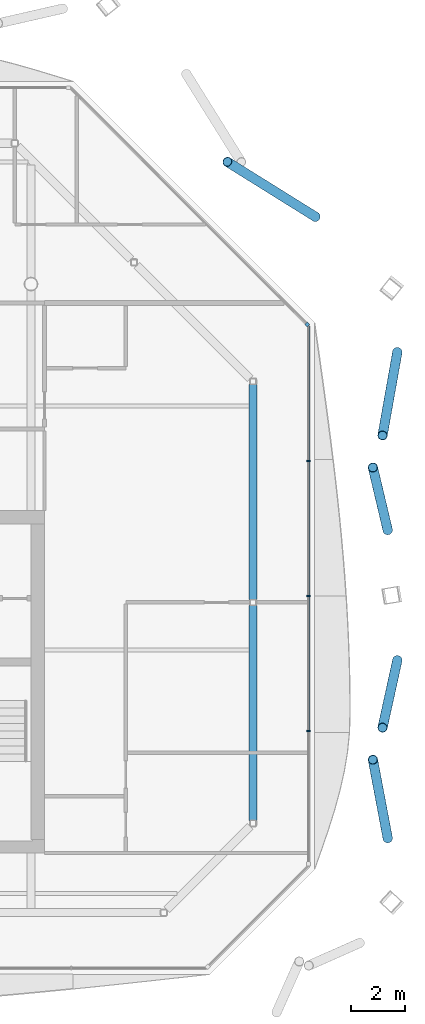
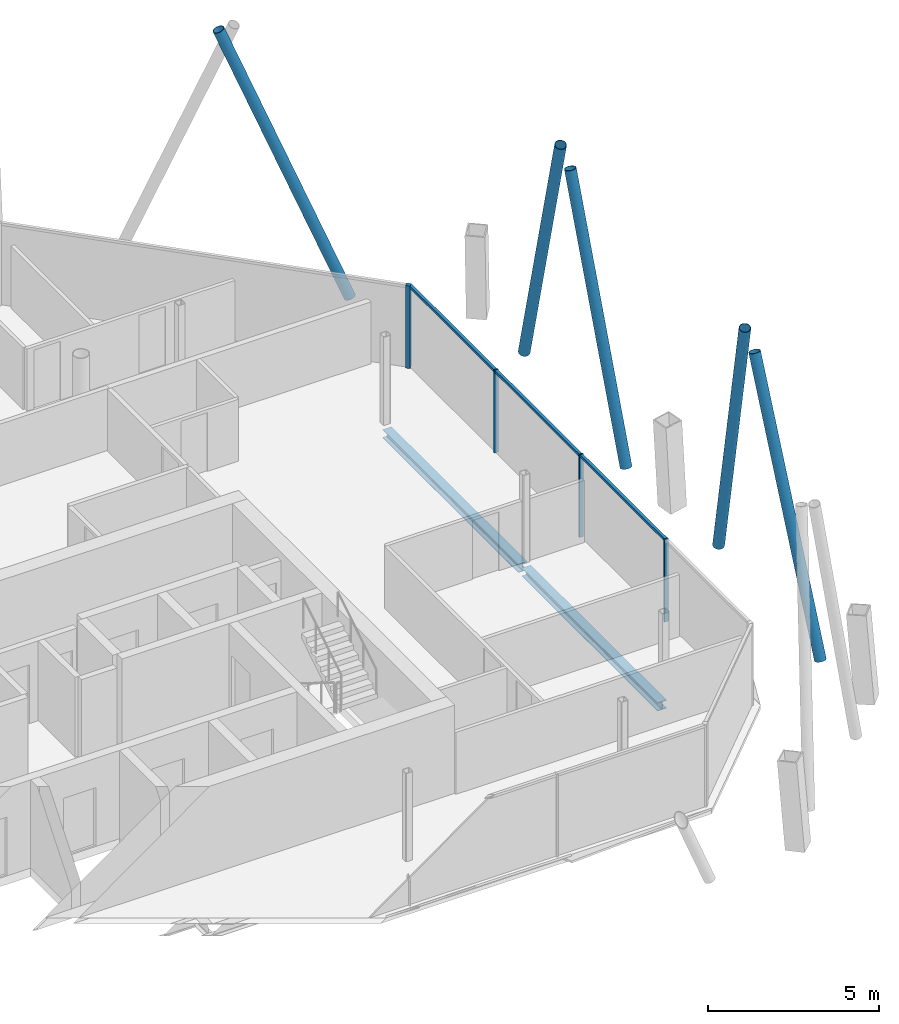
# One storey, part 7 of 14: 12 members, 2 beams, 2 elements without a shape of their own.
"""IFC4 building model written with IfcOpenShell, lengths in metres."""

from ifc_helpers import new_model, si_unit, direction, frame, origin, origin_2d, place, context, subcontext, project, spatial, rectangle, hollow_circle, i_section, extrude, material, material_profile, profile_set, type_object, element, aggregate, save


model = new_model("IFC4")

# Units and contexts
model_context = context("Model", 3, precision=1e-05, world=origin(), true_north=direction((0.0, 1.0)))
body_context = subcontext(model_context, "Body", "Model", "MODEL_VIEW")
ifc_project = project(units=[si_unit("LENGTHUNIT", "METRE"), si_unit("AREAUNIT", "SQUARE_METRE"), si_unit("VOLUMEUNIT", "CUBIC_METRE"), si_unit("PLANEANGLEUNIT", "RADIAN"), si_unit("MASSUNIT", "GRAM", prefix="KILO")], contexts=[model_context])

# Site, building, storey
site_placement = place(None, origin())
site = spatial("IfcSite", under=ifc_project, at=site_placement, CompositionType="ELEMENT")
building_placement = place(site_placement, origin())
building = spatial("IfcBuilding", under=site, at=building_placement, Name="Tskaro Facet Tower", CompositionType="ELEMENT")
storey_placement = place(building_placement, frame((0.0, 0.0, 268.949951171875)))
storey = spatial("IfcBuildingStorey", under=building, at=storey_placement, Name="L71", CompositionType="ELEMENT", Elevation=268.949951171875)

# Members
ifc_material_1 = material(Name="Steel S355J2H", Category="steel")
ifc_material_profile_1 = material_profile(ifc_material_1, hollow_circle(Radius=0.177734375, WallThickness=0.01611328125, at=origin_2d()), Name="CHS 355.6x16")
ifc_profile_set_1 = profile_set([ifc_material_profile_1], Name="Steel S355J2H")
member_type_1 = type_object("IfcMemberType", Name="CHS 355.6x16 brace", PredefinedType="BRACE", material=ifc_profile_set_1)
member_1_placement = place(storey_placement, frame((22.16748046875, -11.453857421875, 0.0), z_axis=(-0.055335817558, 0.293052966068, 0.954493533961), x_axis=(-0.982635493841, -0.185546453061, 0.0)))
element("IfcMember", 1, at=member_1_placement, inside=storey, type_object=member_type_1, Name="CHS 355.6x16 XB04A/6", PredefinedType="BRACE", context=body_context, shape_type="SweptSolid", body=[
    extrude(hollow_circle(Radius=0.177734375, WallThickness=0.01611328125, at=origin_2d()), origin(), (0.0, 0.0, 1.0), 9.900390625),
])
member_2_placement = place(storey_placement, frame((22.52294921875, -4.882568359375, 0.0), z_axis=(-0.055947109483, -0.254443363278, 0.965468019058), x_axis=(0.9766689713, -0.214750367868, 0.0)))
element("IfcMember", 2, at=member_2_placement, inside=storey, type_object=member_type_1, Name="CHS 355.6x16 XB04B/6", PredefinedType="BRACE", context=body_context, shape_type="SweptSolid", body=[
    extrude(hollow_circle(Radius=0.177734375, WallThickness=0.01611328125, at=origin_2d()), origin(), (0.0, 0.0, 1.0), 9.787841796875),
])
member_3_placement = place(storey_placement, frame((22.16748046875, -0.08056640625, 0.0), z_axis=(-0.056224703968, 0.237226157382, 0.969826032295), x_axis=(-0.973043884015, -0.230620033347, 0.0)))
element("IfcMember", 3, at=member_3_placement, inside=storey, type_object=member_type_1, Name="CHS 355.6x16 XB05A/6", PredefinedType="BRACE", context=body_context, shape_type="SweptSolid", body=[
    extrude(hollow_circle(Radius=0.177734375, WallThickness=0.01611328125, at=origin_2d()), origin(), (0.0, 0.0, 1.0), 9.743896484375),
])
member_4_placement = place(storey_placement, frame((22.52294921875, 6.491455078125, 0.0), z_axis=(-0.055011245014, -0.309465844665, 0.949317994092), x_axis=(0.984565197024, -0.175018207079, 0.0)))
element("IfcMember", 4, at=member_4_placement, inside=storey, type_object=member_type_1, Name="CHS 355.6x16 XB05B/6", PredefinedType="BRACE", context=body_context, shape_type="SweptSolid", body=[
    extrude(hollow_circle(Radius=0.177734375, WallThickness=0.01611328125, at=origin_2d()), origin(), (0.0, 0.0, 1.0), 9.954345703125),
])
member_5_placement = place(storey_placement, frame((19.507568359375, 11.478759765625, 0.0), z_axis=(-0.31955632288, 0.199244037446, 0.926383057946), x_axis=(-0.529084601301, -0.848569080669, 0.0)))
element("IfcMember", 5, at=member_5_placement, inside=storey, type_object=member_type_1, Name="CHS 355.6x16 XB06A/6", PredefinedType="BRACE", context=body_context, shape_type="SweptSolid", body=[
    extrude(hollow_circle(Radius=0.177734375, WallThickness=0.01611328125, at=origin_2d()), origin(), (0.0, 0.0, 1.0), 10.200927734375),
])

# Curtain wall, member
ifc_material_2 = material(Name="Bronze anodised aluminium 6063-T6", Category="aluminium")
curtain_wall_type = type_object("IfcCurtainWallType", Name="Bronze residence curtain wall (FW3)", PredefinedType="NOTDEFINED", material=ifc_material_2)
curtain_wall_1_placement = place(storey_placement, origin())
curtain_wall_1 = element("IfcCurtainWall", 6, at=curtain_wall_1_placement, inside=storey, type_object=curtain_wall_type, Name="FW3 north-east facet L71", PredefinedType="NOTDEFINED")
ifc_material_profile_2 = material_profile(ifc_material_2, rectangle(XDim=0.139892578125, YDim=0.139892578125, at=origin_2d()), Name="Corner post 140x140")
ifc_profile_set_2 = profile_set([ifc_material_profile_2], Name="Bronze anodised aluminium 6063-T6")
member_type_2 = type_object("IfcMemberType", Name="FW3 bronze corner post 140x140", PredefinedType="MULLION", material=ifc_profile_set_2)
member_6_placement = place(storey_placement, frame((19.196533203125, 7.506591796875, 0.0), z_axis=(0.0, 0.0, 1.0), x_axis=(-0.707106781187, 0.707106781187, 0.0)))
member_6 = element("IfcMember", 7, at=member_6_placement, type_object=member_type_2, Name="FW3 north-east corner post", PredefinedType="MULLION", context=body_context, shape_type="SweptSolid", body=[
    extrude(rectangle(XDim=0.139892578125, YDim=0.139892578125, at=origin_2d()), origin(), (0.0, 0.0, 1.0), 2.949951171875),
])
aggregate(curtain_wall_1, [member_6])

# Curtain wall, members
curtain_wall_2_placement = place(storey_placement, origin())
curtain_wall_2 = element("IfcCurtainWall", 8, at=curtain_wall_2_placement, inside=storey, type_object=curtain_wall_type, Name="FW3 east facet L71", PredefinedType="NOTDEFINED")
ifc_material_profile_3 = material_profile(ifc_material_2, rectangle(XDim=0.050048828125, YDim=0.139892578125, at=origin_2d()), Name="Mullion 50x140")
ifc_profile_set_3 = profile_set([ifc_material_profile_3], Name="Bronze anodised aluminium 6063-T6")
member_type_3 = type_object("IfcMemberType", Name="FW3 bronze mullion 50x140", PredefinedType="MULLION", material=ifc_profile_set_3)
member_7_placement = place(storey_placement, frame((19.24609375, -7.4951171875, 0.0), z_axis=(0.0, 0.0, 1.0), x_axis=(0.0, 1.0, 0.0)))
member_7 = element("IfcMember", 9, at=member_7_placement, type_object=member_type_3, Name="FW3 east mullion 1", PredefinedType="MULLION", context=body_context, shape_type="SweptSolid", body=[
    extrude(rectangle(XDim=0.050048828125, YDim=0.139892578125, at=origin_2d()), origin(), (0.0, 0.0, 1.0), 2.949951171875),
])
member_8_placement = place(storey_placement, frame((19.24609375, -2.510986328125, 0.0), z_axis=(0.0, 0.0, 1.0), x_axis=(0.0, 1.0, 0.0)))
member_8 = element("IfcMember", 10, at=member_8_placement, type_object=member_type_3, Name="FW3 east mullion 2", PredefinedType="MULLION", context=body_context, shape_type="SweptSolid", body=[
    extrude(rectangle(XDim=0.050048828125, YDim=0.139892578125, at=origin_2d()), origin(), (0.0, 0.0, 1.0), 2.949951171875),
])
member_9_placement = place(storey_placement, frame((19.24609375, 2.472900390625, 0.0), z_axis=(0.0, 0.0, 1.0), x_axis=(0.0, 1.0, 0.0)))
member_9 = element("IfcMember", 11, at=member_9_placement, type_object=member_type_3, Name="FW3 east mullion 3", PredefinedType="MULLION", context=body_context, shape_type="SweptSolid", body=[
    extrude(rectangle(XDim=0.050048828125, YDim=0.139892578125, at=origin_2d()), origin(), (0.0, 0.0, 1.0), 2.949951171875),
])
ifc_material_profile_4 = material_profile(ifc_material_2, rectangle(XDim=0.10009765625, YDim=0.090087890625, at=origin_2d()), Name="Transom 100x90")
ifc_profile_set_4 = profile_set([ifc_material_profile_4], Name="Bronze anodised aluminium 6063-T6")
member_type_4 = type_object("IfcMemberType", Name="FW3 bronze transom 100x90", PredefinedType="USERDEFINED", material=ifc_profile_set_4)
member_10_placement = place(storey_placement, frame((19.24609375, -7.469970703125, 2.905029296875), z_axis=(0.0, 1.0, 0.0), x_axis=(-1.0, 0.0, 0.0)))
member_10 = element("IfcMember", 12, at=member_10_placement, type_object=member_type_4, Name="FW3 east transom 2.1", ObjectType="TRANSOM", PredefinedType="USERDEFINED", context=body_context, shape_type="SweptSolid", body=[
    extrude(rectangle(XDim=0.10009765625, YDim=0.090087890625, at=origin_2d()), origin(), (0.0, 0.0, 1.0), 4.93408203125),
])
member_11_placement = place(storey_placement, frame((19.24609375, -2.486083984375, 2.905029296875), z_axis=(0.0, 1.0, 0.0), x_axis=(-1.0, 0.0, 0.0)))
member_11 = element("IfcMember", 13, at=member_11_placement, type_object=member_type_4, Name="FW3 east transom 3.1", ObjectType="TRANSOM", PredefinedType="USERDEFINED", context=body_context, shape_type="SweptSolid", body=[
    extrude(rectangle(XDim=0.10009765625, YDim=0.090087890625, at=origin_2d()), origin(), (0.0, 0.0, 1.0), 4.93408203125),
])
member_12_placement = place(storey_placement, frame((19.24609375, 2.498046875, 2.905029296875), z_axis=(0.0, 1.0, 0.0), x_axis=(-1.0, 0.0, 0.0)))
member_12 = element("IfcMember", 14, at=member_12_placement, type_object=member_type_4, Name="FW3 east transom 4.1", ObjectType="TRANSOM", PredefinedType="USERDEFINED", context=body_context, shape_type="SweptSolid", body=[
    extrude(rectangle(XDim=0.10009765625, YDim=0.090087890625, at=origin_2d()), origin(), (0.0, 0.0, 1.0), 4.958984375),
])
aggregate(curtain_wall_2, [member_7, member_8, member_9, member_10, member_11, member_12])

# Beams
ifc_material_3 = material(Name="Steel S355J2", Category="steel")
ifc_material_profile_5 = material_profile(ifc_material_3, i_section(OverallWidth=0.300048828125, OverallDepth=0.300048828125, WebThickness=0.010986328125, FlangeThickness=0.01904296875, FilletRadius=0.027099609375, at=origin_2d()), Name="HE 300 B")
ifc_profile_set_5 = profile_set([ifc_material_profile_5], Name="Steel S355J2")
beam_type = type_object("IfcBeamType", Name="HE 300 B ring beam", PredefinedType="BEAM", material=ifc_profile_set_5)
for number, where, z_axis, x_axis, name in (
    (15, (17.199951171875, -10.798095703125, -0.2900390625), (0.0, 1.0, 0.0), (-1.0, 0.0, 0.0), "HE 300 B EB5-6"),
    (16, (17.199951171875, -2.64501953125, -0.2900390625), (0.0, 1.0, 0.0), (-1.0, 0.0, 0.0), "HE 300 B EB6-6"),
):
    element("IfcBeam", number, at=place(storey_placement, frame(where, z_axis=z_axis, x_axis=x_axis)), inside=storey, type_object=beam_type, Name=name, PredefinedType="BEAM", context=body_context, shape_type="SweptSolid", body=[
        extrude(i_section(OverallWidth=0.300048828125, OverallDepth=0.300048828125, WebThickness=0.010986328125, FlangeThickness=0.01904296875, FilletRadius=0.027099609375, at=origin_2d()), origin(), (0.0, 0.0, 1.0), 7.943115234375),
    ])

save(model, "model.ifc")
